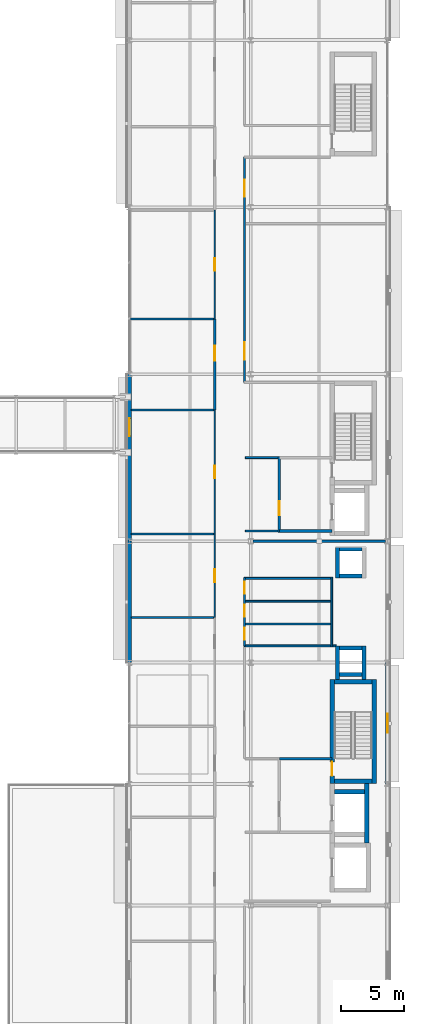
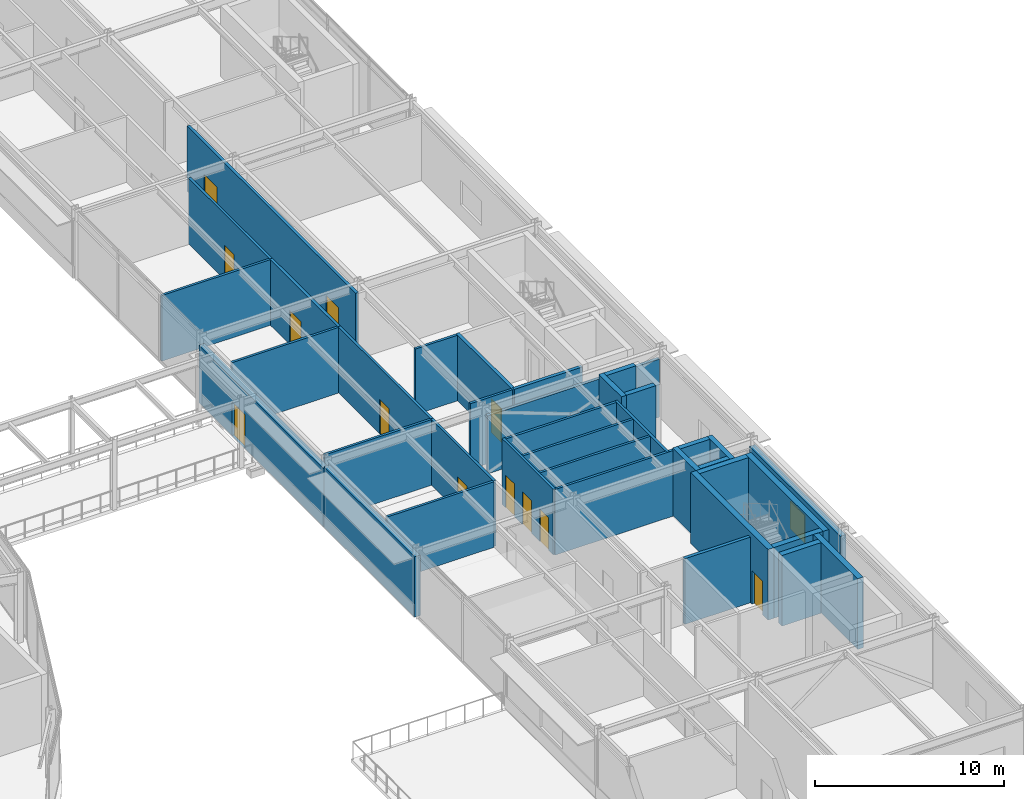
# One storey, part 125 of 157: 37 walls, 12 doors, 1 window, 13 openings.
"""IFC4 building model written with IfcOpenShell, lengths in metres."""

import ifcopenshell
import ifcopenshell.guid

model = None  # the IFC model being written
_history = None  # IfcOwnerHistory: only IFC2X3 demands one
_inside = {}  # id of a spatial element -> (the spatial element, [elements in it])
_under = {}  # id of a project, library or spatial element -> (it, [spatial elements below it])
_declared = {}  # id of a project -> (the project, [libraries it declares])
_typed = {}  # id of a type object -> (the type object, [elements of that type])
_made_of = {}  # id of a material, layer set ... -> (it, [elements and type objects made of it])


def new_model(schema):
    """Start an empty IFC model of exactly this schema.

    Asked for "IFC4X3", IfcOpenShell would pick the latest addendum, in which some entities
    have other attributes; the version numbers below select the first issue.
    IFC2X3 requires an IfcOwnerHistory on every rooted entity: one is made here for all.
    """
    global model, _history
    if schema == "IFC4X3":
        model = ifcopenshell.file(schema_version=(4, 3, 0, 0))
    else:
        model = ifcopenshell.file(schema=schema)
    _inside.clear()
    _under.clear()
    _declared.clear()
    _typed.clear()
    _made_of.clear()
    _history = None
    if model.schema == "IFC2X3":
        org = make("IfcOrganization", Name="unknown")
        user = make(
            "IfcPersonAndOrganization",
            ThePerson=make("IfcPerson", FamilyName="unknown"),
            TheOrganization=org,
        )
        app = make(
            "IfcApplication",
            ApplicationDeveloper=org,
            Version="unknown",
            ApplicationFullName="unknown",
            ApplicationIdentifier="unknown",
        )
        _history = make(
            "IfcOwnerHistory",
            OwningUser=user,
            OwningApplication=app,
            ChangeAction="ADDED",
            CreationDate=0,
        )
    return model


def make(cls, **values):
    """One entity of the class cls with the attributes given. An attribute that is None is left unset."""
    return model.create_entity(
        cls, **{name: value for name, value in values.items() if value is not None}
    )


def rooted(cls, **values):
    """An entity with a GlobalId (a new one), such as an element, a storey or a relation."""
    return make(cls, GlobalId=ifcopenshell.guid.new(), OwnerHistory=_history, **values)


def si_unit(unit_type, name, prefix=None):
    """IfcSIUnit, for example si_unit("LENGTHUNIT", "METRE", prefix="MILLI")."""
    return make("IfcSIUnit", UnitType=unit_type, Prefix=prefix, Name=name)


def assignment(units):
    """IfcUnitAssignment: the units of a project."""
    return None if units is None else make("IfcUnitAssignment", Units=units)


def point(xyz):
    """IfcCartesianPoint."""
    return None if xyz is None else make("IfcCartesianPoint", Coordinates=xyz)


def direction(xyz):
    """IfcDirection."""
    return None if xyz is None else make("IfcDirection", DirectionRatios=xyz)


def frame(location, z_axis=None, x_axis=None):
    """IfcAxis2Placement3D, a coordinate frame: its origin and axes. An axis left out is left unset."""
    return make(
        "IfcAxis2Placement3D",
        Location=point(location),
        Axis=direction(z_axis),
        RefDirection=direction(x_axis),
    )


def frame_2d(location, x_axis=None):
    """IfcAxis2Placement2D, a coordinate frame in the plane: its origin and x axis."""
    return make(
        "IfcAxis2Placement2D", Location=point(location), RefDirection=direction(x_axis)
    )


def origin():
    """The frame at (0, 0, 0) with its axes left unset."""
    return frame((0.0, 0.0, 0.0))


def place(relative_to, where):
    """IfcLocalPlacement: puts the frame where relative to a parent placement (None: the world)."""
    return make(
        "IfcLocalPlacement", PlacementRelTo=relative_to, RelativePlacement=where
    )


def context(
    kind, dimensions, precision=None, world=None, true_north=None, identifier=None
):
    """IfcGeometricRepresentationContext, for example the 3D "Model" context."""
    return make(
        "IfcGeometricRepresentationContext",
        ContextIdentifier=identifier,
        ContextType=kind,
        CoordinateSpaceDimension=dimensions,
        Precision=precision,
        WorldCoordinateSystem=world,
        TrueNorth=true_north,
    )


def subcontext(parent, identifier, kind, view, scale=None):
    """IfcGeometricRepresentationSubContext, for example "Body" below "Model"."""
    return make(
        "IfcGeometricRepresentationSubContext",
        ContextIdentifier=identifier,
        ContextType=kind,
        ParentContext=parent,
        TargetScale=scale,
        TargetView=view,
    )


def project(units=None, contexts=None):
    """IfcProject with its units and contexts."""
    return rooted(
        "IfcProject",
        Name="project",
        RepresentationContexts=contexts,
        UnitsInContext=assignment(units),
    )


def spatial(cls, under=None, at=None, **own):
    """A site, building, storey or space (cls), placed at a placement, below another one or the project."""
    s = rooted(cls, ObjectPlacement=at, **own)
    if under is not None:
        _under.setdefault(under.id(), (under, []))[1].append(s)
    return s


def profile(cls, at=None, kind="AREA", **sizes):
    """A parametric profile (cls). Its sizes go by their IFC names, for example OverallWidth=200.0."""
    return make(cls, ProfileType=kind, Position=at, **sizes)


def rectangle(**sizes):
    """IfcRectangleProfileDef."""
    return profile("IfcRectangleProfileDef", **sizes)


def extrude(swept, where, along, depth):
    """IfcExtrudedAreaSolid: the profile swept, set in the frame where, extruded along a direction by depth."""
    return make(
        "IfcExtrudedAreaSolid",
        SweptArea=swept,
        Position=where,
        ExtrudedDirection=direction(along),
        Depth=depth,
    )


def shape(context_of_items, identifier, shape_type, items):
    """IfcShapeRepresentation: the items that make up one representation, for example the "Body"."""
    return make(
        "IfcShapeRepresentation",
        ContextOfItems=context_of_items,
        RepresentationIdentifier=identifier,
        RepresentationType=shape_type,
        Items=items,
    )


def material(Name=None, Category=None):
    """IfcMaterial."""
    return make("IfcMaterial", Name=Name, Category=Category)


def layer(
    of_material, thickness, ventilated=None, Name=None, Category=None, Priority=None
):
    """IfcMaterialLayer: one layer of a wall or slab, of a material (None: an air gap)."""
    return make(
        "IfcMaterialLayer",
        Material=of_material,
        LayerThickness=thickness,
        IsVentilated=ventilated,
        Name=Name,
        Category=Category,
        Priority=Priority,
    )


def layer_set(layers, Name=None):
    """IfcMaterialLayerSet."""
    return make("IfcMaterialLayerSet", MaterialLayers=layers, LayerSetName=Name)


def made_of(thing, what):
    """Note that an element or type object is made of a material, layer set ...; save() writes the relation."""
    if what is not None:
        _made_of.setdefault(what.id(), (what, []))[1].append(thing)
    return thing


def type_object(cls, material=None, **own):
    """A type object (cls), such as IfcWallType, which elements share."""
    return made_of(rooted(cls, **own), material)


def element(
    cls,
    number,
    at=None,
    inside=None,
    cuts=None,
    type_object=None,
    material=None,
    context=None,
    identifier="Body",
    shape_type=None,
    held_by="IfcProductDefinitionShape",
    body=None,
    shapes=None,
    **own,
):
    """One element of the class cls, such as IfcWall. Its Tag is "e" and its number.

    at: its placement. inside: the storey or other place that contains it. cuts: it is an
    opening in that element (IfcRelVoidsElement). A single representation is given by context,
    identifier, shape_type and body (its items); several are given by shapes. held_by: the class
    of the entity that holds the representations. save() writes the other relations.
    """
    e = rooted(cls, Tag="e%d" % number, ObjectPlacement=at, **own)
    if body is not None:
        shapes = [shape(context, identifier, shape_type, body)]
    if shapes is not None:
        e.Representation = make(held_by, Representations=shapes)
    if inside is not None:
        _inside.setdefault(inside.id(), (inside, []))[1].append(e)
    if cuts is not None:
        rooted(
            "IfcRelVoidsElement", RelatingBuildingElement=cuts, RelatedOpeningElement=e
        )
    if type_object is not None:
        _typed.setdefault(type_object.id(), (type_object, []))[1].append(e)
    return made_of(e, material)


def fill(opening, filler):
    """IfcRelFillsElement: the door or window that sits in an opening."""
    return rooted(
        "IfcRelFillsElement",
        RelatingOpeningElement=opening,
        RelatedBuildingElement=filler,
    )


def aggregate(whole, parts):
    """IfcRelAggregates: a whole, such as a stair, and the parts it consists of."""
    return rooted("IfcRelAggregates", RelatingObject=whole, RelatedObjects=parts)


def save(model, path):
    """Write the relations noted so far, then the file.

    IfcRelAggregates (storeys below a building ...), IfcRelContainedInSpatialStructure (elements
    in a storey), IfcRelDefinesByType, IfcRelAssociatesMaterial and IfcRelDeclares: one each for
    every whole, place, type object, material and project.
    """
    for whole, parts in _under.values():
        aggregate(whole, parts)
    for where, things in _inside.values():
        rooted(
            "IfcRelContainedInSpatialStructure",
            RelatedElements=things,
            RelatingStructure=where,
        )
    for kind, things in _typed.values():
        rooted("IfcRelDefinesByType", RelatedObjects=things, RelatingType=kind)
    for what, things in _made_of.values():
        rooted("IfcRelAssociatesMaterial", RelatedObjects=things, RelatingMaterial=what)
    for by, libraries in _declared.values():
        rooted("IfcRelDeclares", RelatingContext=by, RelatedDefinitions=libraries)
    model.write(path)


model = new_model("IFC4")

# Units and contexts
model_context = context("Model", 3, precision=1e-05, world=origin(), true_north=direction((0.0, 1.0)))
body_context = subcontext(model_context, "Body", "Model", "MODEL_VIEW")
ifc_project = project(units=[si_unit("LENGTHUNIT", "METRE"), si_unit("AREAUNIT", "SQUARE_METRE"), si_unit("VOLUMEUNIT", "CUBIC_METRE"), si_unit("PLANEANGLEUNIT", "RADIAN"), si_unit("MASSUNIT", "GRAM", prefix="KILO")], contexts=[model_context])

# Site, building, storey
site_placement = place(None, origin())
site = spatial("IfcSite", under=ifc_project, at=site_placement, CompositionType="ELEMENT")
building_placement = place(site_placement, origin())
building = spatial("IfcBuilding", under=site, at=building_placement, Name="Almandine Court Research Institute", CompositionType="ELEMENT")
storey_placement = place(building_placement, frame((0.0, 0.0, 5.25)))
storey = spatial("IfcBuildingStorey", under=building, at=storey_placement, Name="L01", CompositionType="ELEMENT", Elevation=5.25)

# Wall
ifc_material_1 = material(Name="Andean Red-Buff Sandstone Plinth Wall", Category="masonry")
ifc_layer_1 = layer(ifc_material_1, 0.340087890625)
ifc_layer_set_1 = layer_set([ifc_layer_1], Name="Andean Red-Buff Sandstone Plinth Wall")
wall_type_1 = type_object("IfcWallType", Name="Wall-EXT-SAND-340", PredefinedType="SOLIDWALL", material=ifc_layer_set_1)
wall_1_placement = place(storey_placement, frame((153.60009765625, 34.803955078125, 0.0), z_axis=(0.0, 0.0, 1.0), x_axis=(0.0, 1.0, 0.0)))
element("IfcWall", 1, at=wall_1_placement, inside=storey, type_object=wall_type_1, Name="L01 Wet Lab West Facade Wall 4", PredefinedType="SOLIDWALL", context=body_context, shape_type="SweptSolid", body=[
    extrude(rectangle(XDim=9.592041015625, YDim=0.340087890625, at=frame_2d((4.7958984375, 0.0))), origin(), (0.0, 0.0, 1.0), 3.89306640625),
])

# Wall, opening, door
wall_2_placement = place(storey_placement, frame((153.60009765625, 44.404052734375, 0.0), z_axis=(0.0, 0.0, 1.0), x_axis=(0.0, 1.0, 0.0)))
wall_2 = element("IfcWall", 2, at=wall_2_placement, inside=storey, type_object=wall_type_1, Name="L01 Wet Lab East Dalan Bridge Wall", PredefinedType="SOLIDWALL", context=body_context, shape_type="SweptSolid", body=[
    extrude(rectangle(XDim=13.19189453125, YDim=0.340087890625, at=frame_2d((6.595947265625, 0.0))), origin(), (0.0, 0.0, 1.0), 3.719970703125),
])
opening_1_placement = place(wall_2_placement, frame((8.300048828125, 0.0, 0.0)))
opening_1 = element("IfcOpeningElement", 3, at=opening_1_placement, cuts=wall_2, Name="Opening TD-01", PredefinedType="OPENING", context=body_context, shape_type="SweptSolid", body=[
    extrude(rectangle(XDim=1.39990234375, YDim=2.199951171875, at=frame_2d((0.699951171875, 1.10009765625))), frame((0.0, 0.179931640625, 0.0), z_axis=(0.0, -1.0, 0.0), x_axis=(1.0, 0.0, 0.0)), (0.0, 0.0, 1.0), 0.360107421875),
])
ifc_material_2 = material(Name="Thermally Broken Glazed Terrace Door")
door_type_1 = type_object("IfcDoorType", Name="Door-TER-1400", OperationType="DOUBLE_DOOR_SINGLE_SWING", PredefinedType="DOOR", material=ifc_material_2)
door_1_placement = place(opening_1_placement, origin())
door_1 = element("IfcDoor", 4, at=door_1_placement, inside=storey, type_object=door_type_1, Name="L01 East Charbagh Dalan Bridge Door", OperationType="DOUBLE_DOOR_SINGLE_SWING", OverallHeight=2.199951171875, OverallWidth=1.39990234375, PredefinedType="DOOR", context=body_context, shape_type="SweptSolid", body=[
    extrude(rectangle(XDim=1.39990234375, YDim=2.199951171875, at=frame_2d((0.699951171875, 1.10009765625))), frame((0.0, 0.02490234375, 0.0), z_axis=(0.0, -1.0, 0.0), x_axis=(1.0, 0.0, 0.0)), (0.0, 0.0, 1.0), 0.050048828125),
])
fill(opening_1, door_1)

# Wall, opening, window
wall_3_placement = place(storey_placement, frame((174.0, 34.7958984375, 0.0), z_axis=(0.0, 0.0, 1.0), x_axis=(0.0, -1.0, 0.0)))
wall_3 = element("IfcWall", 5, at=wall_3_placement, inside=storey, type_object=wall_type_1, Name="L01 Wet Lab East Facade Wall 3", PredefinedType="SOLIDWALL", context=body_context, shape_type="SweptSolid", body=[
    extrude(rectangle(XDim=9.591796875, YDim=0.340087890625, at=frame_2d((4.7958984375, 0.0))), origin(), (0.0, 0.0, 1.0), 3.884033203125),
])
opening_2_placement = place(wall_3_placement, frame((4.051025390625, 0.0, 0.949951171875)))
opening_2 = element("IfcOpeningElement", 6, at=opening_2_placement, cuts=wall_3, Name="Opening WN-67", PredefinedType="OPENING", context=body_context, shape_type="SweptSolid", body=[
    extrude(rectangle(XDim=1.489990234375, YDim=1.800048828125, at=frame_2d((0.7451171875, 0.89990234375))), frame((0.0, 0.179931640625, 0.0), z_axis=(0.0, -1.0, 0.0), x_axis=(1.0, 0.0, 0.0)), (0.0, 0.0, 1.0), 0.360107421875),
])
ifc_material_3 = material(Name="Thermally Broken Low-E Double-Glazed Window", Category="glass")
window_type = type_object("IfcWindowType", Name="Win-WN-67-1490x1800", PartitioningType="SINGLE_PANEL", PredefinedType="WINDOW", material=ifc_material_3)
window_placement = place(opening_2_placement, origin())
window = element("IfcWindow", 7, at=window_placement, inside=storey, type_object=window_type, Name="L01 Modular Recessed Low-E Window 95", OverallHeight=1.800048828125, OverallWidth=1.489990234375, PartitioningType="SINGLE_PANEL", PredefinedType="WINDOW", context=body_context, shape_type="SweptSolid", body=[
    extrude(rectangle(XDim=1.489990234375, YDim=1.800048828125, at=frame_2d((0.7451171875, 0.89990234375))), frame((0.0, 0.030029296875, 0.0), z_axis=(0.0, -1.0, 0.0), x_axis=(1.0, 0.0, 0.0)), (0.0, 0.0, 1.0), 0.06005859375),
])
fill(opening_2, window)

# Wall, opening, door
ifc_material_4 = material(Name="One-Hour Fire-Rated Laboratory Partition")
ifc_layer_2 = layer(ifc_material_4, 0.175048828125)
ifc_layer_set_2 = layer_set([ifc_layer_2], Name="One-Hour Fire-Rated Laboratory Partition")
wall_type_2 = type_object("IfcWallType", Name="Wall-FIRE-175", PredefinedType="PARTITIONING", material=ifc_layer_set_2)
wall_4_placement = place(storey_placement, frame((160.35009765625, 54.760009765625, 0.0), z_axis=(0.0, 0.0, 1.0), x_axis=(0.0, 1.0, 0.0)))
wall_4 = element("IfcWall", 8, at=wall_4_placement, inside=storey, type_object=wall_type_2, Name="L01 Interior Partition W-V4-L01-WW-6", PredefinedType="PARTITIONING", context=body_context, shape_type="SweptSolid", body=[
    extrude(rectangle(XDim=7.199951171875, YDim=0.175048828125, at=frame_2d((3.60009765625, 0.0))), origin(), (0.0, 0.0, 1.0), 4.22998046875),
])
opening_3_placement = place(wall_4_placement, frame((3.889892578125, 0.0, 0.0)))
opening_3 = element("IfcOpeningElement", 9, at=opening_3_placement, cuts=wall_4, Name="Opening FD-LAB", PredefinedType="OPENING", context=body_context, shape_type="SweptSolid", body=[
    extrude(rectangle(XDim=1.199951171875, YDim=2.199951171875, at=frame_2d((0.60009765625, 1.10009765625))), frame((0.0, 0.097412109375, 0.0), z_axis=(0.0, -1.0, 0.0), x_axis=(1.0, 0.0, 0.0)), (0.0, 0.0, 1.0), 0.195068359375),
])
ifc_material_5 = material(Name="Fire-Rated Laboratory Containment Door")
door_type_2 = type_object("IfcDoorType", Name="Door-FD-LAB-1200", OperationType="NOTDEFINED", PredefinedType="DOOR", material=ifc_material_5)
door_2_placement = place(opening_3_placement, origin())
door_2 = element("IfcDoor", 10, at=door_2_placement, inside=storey, type_object=door_type_2, Name="L01 Wet Chemistry Laboratory Door", OperationType="SINGLE_SWING_RIGHT", OverallHeight=2.199951171875, OverallWidth=1.199951171875, PredefinedType="DOOR", context=body_context, shape_type="SweptSolid", body=[
    extrude(rectangle(XDim=1.199951171875, YDim=2.199951171875, at=frame_2d((0.60009765625, 1.10009765625))), frame((0.0, 0.02490234375, 0.0), z_axis=(0.0, -1.0, 0.0), x_axis=(1.0, 0.0, 0.0)), (0.0, 0.0, 1.0), 0.050048828125),
])
fill(opening_3, door_2)

# Wall, openings, doors
wall_5_placement = place(storey_placement, frame((162.699951171875, 56.949951171875, 0.0), z_axis=(0.0, 0.0, 1.0), x_axis=(0.0, 1.0, 0.0)))
wall_5 = element("IfcWall", 11, at=wall_5_placement, inside=storey, type_object=wall_type_2, Name="L01 Interior Partition W-V4-L01-EW-N1", PredefinedType="PARTITIONING", context=body_context, shape_type="SweptSolid", body=[
    extrude(rectangle(XDim=17.800048828125, YDim=0.175048828125, at=frame_2d((8.89990234375, 0.0))), origin(), (0.0, 0.0, 1.0), 4.22998046875),
])
opening_4_placement = place(wall_5_placement, frame((1.800048828125, 0.0, 0.0)))
opening_4 = element("IfcOpeningElement", 12, at=opening_4_placement, cuts=wall_5, Name="Opening FD-LB2", PredefinedType="OPENING", context=body_context, shape_type="SweptSolid", body=[
    extrude(rectangle(XDim=1.35009765625, YDim=2.199951171875, at=frame_2d((0.675048828125, 1.10009765625))), frame((0.0, 0.097412109375, 0.0), z_axis=(0.0, -1.0, 0.0), x_axis=(1.0, 0.0, 0.0)), (0.0, 0.0, 1.0), 0.195068359375),
])
opening_5_placement = place(wall_5_placement, frame((14.64990234375, 0.0, 0.0)))
opening_5 = element("IfcOpeningElement", 13, at=opening_5_placement, cuts=wall_5, Name="Opening FD-LB2", PredefinedType="OPENING", context=body_context, shape_type="SweptSolid", body=[
    extrude(rectangle(XDim=1.35009765625, YDim=2.199951171875, at=frame_2d((0.675048828125, 1.10009765625))), frame((0.0, 0.097412109375, 0.0), z_axis=(0.0, -1.0, 0.0), x_axis=(1.0, 0.0, 0.0)), (0.0, 0.0, 1.0), 0.195068359375),
])
ifc_material_6 = material(Name="Wide Fire-Rated Cleanroom and Lab Door")
door_type_3 = type_object("IfcDoorType", Name="Door-FD-LAB-1350", OperationType="NOTDEFINED", PredefinedType="DOOR", material=ifc_material_6)
door_3_placement = place(opening_4_placement, origin())
door_3 = element("IfcDoor", 14, at=door_3_placement, inside=storey, type_object=door_type_3, Name="L01 East Wet Chemistry Lab Door", OperationType="SINGLE_SWING_RIGHT", OverallHeight=2.199951171875, OverallWidth=1.35009765625, PredefinedType="DOOR", context=body_context, shape_type="SweptSolid", body=[
    extrude(rectangle(XDim=1.35009765625, YDim=2.199951171875, at=frame_2d((0.675048828125, 1.10009765625))), frame((0.0, 0.02490234375, 0.0), z_axis=(0.0, -1.0, 0.0), x_axis=(1.0, 0.0, 0.0)), (0.0, 0.0, 1.0), 0.050048828125),
])
fill(opening_4, door_3)
door_4_placement = place(opening_5_placement, origin())
door_4 = element("IfcDoor", 15, at=door_4_placement, inside=storey, type_object=door_type_3, Name="L01 East BSL-2 Lab South Door", OperationType="SINGLE_SWING_LEFT", OverallHeight=2.199951171875, OverallWidth=1.35009765625, PredefinedType="DOOR", context=body_context, shape_type="SweptSolid", body=[
    extrude(rectangle(XDim=1.35009765625, YDim=2.199951171875, at=frame_2d((0.675048828125, 1.10009765625))), frame((0.0, 0.02490234375, 0.0), z_axis=(0.0, -1.0, 0.0), x_axis=(1.0, 0.0, 0.0)), (0.0, 0.0, 1.0), 0.050048828125),
])
fill(opening_5, door_4)

# Walls
ifc_material_7 = material(Name="Two-Hour Fire-Barrier Enclosure Wall")
ifc_layer_3 = layer(ifc_material_7, 0.199951171875)
ifc_layer_set_3 = layer_set([ifc_layer_3], Name="Two-Hour Fire-Barrier Enclosure Wall")
wall_type_3 = type_object("IfcWallType", Name="Wall-FIRE-200", PredefinedType="SOLIDWALL", material=ifc_layer_set_3)
wall_6_placement = place(storey_placement, frame((163.360107421875, 44.39990234375, 0.0), z_axis=(0.0, 0.0, 1.0), x_axis=(1.0, 0.0, 0.0)))
element("IfcWall", 16, at=wall_6_placement, inside=storey, type_object=wall_type_3, Name="L01 Interior Partition W-BF-V4-BF2-L01", PredefinedType="SOLIDWALL", context=body_context, shape_type="SweptSolid", body=[
    extrude(rectangle(XDim=10.47998046875, YDim=0.199951171875, at=frame_2d((5.239990234375, 0.0))), origin(), (0.0, 0.0, 1.0), 3.737060546875),
])
wall_7_placement = place(storey_placement, frame((165.449951171875, 27.199951171875, 0.0), z_axis=(0.0, 0.0, 1.0), x_axis=(1.0, 0.0, 0.0)))
element("IfcWall", 17, at=wall_7_placement, inside=storey, type_object=wall_type_3, Name="L01 Interior Partition W-FFL1-L01-N", PredefinedType="SOLIDWALL", context=body_context, shape_type="SweptSolid", body=[
    extrude(rectangle(XDim=4.150146484375, YDim=0.199951171875, at=frame_2d((2.0751953125, 0.0))), origin(), (0.0, 0.0, 1.0), 4.22998046875),
])

# Wall, opening, door
wall_8_placement = place(storey_placement, frame((165.449951171875, 45.10009765625, 0.0), z_axis=(0.0, 0.0, 1.0), x_axis=(0.0, 1.0, 0.0)))
wall_8 = element("IfcWall", 18, at=wall_8_placement, inside=storey, type_object=wall_type_3, Name="L01 Interior Partition W-FFL2-L01-W", PredefinedType="SOLIDWALL", context=body_context, shape_type="SweptSolid", body=[
    extrude(rectangle(XDim=6.0, YDim=0.199951171875, at=frame_2d((3.0, 0.0))), origin(), (0.0, 0.0, 1.0), 4.22998046875),
])
opening_6_placement = place(wall_8_placement, frame((1.35009765625, 0.0, 0.0)))
opening_6 = element("IfcOpeningElement", 19, at=opening_6_placement, cuts=wall_8, Name="Opening FD-FFL", PredefinedType="OPENING", context=body_context, shape_type="SweptSolid", body=[
    extrude(rectangle(XDim=1.10009765625, YDim=2.14990234375, at=frame_2d((0.550048828125, 1.074951171875))), frame((0.0, 0.10986328125, 0.0), z_axis=(0.0, -1.0, 0.0), x_axis=(1.0, 0.0, 0.0)), (0.0, 0.0, 1.0), 0.219970703125),
])
ifc_material_8 = material(Name="Smoke-Tight Firefighting Lobby Fire Door")
door_type_4 = type_object("IfcDoorType", Name="Door-FD-FFL-1100", OperationType="NOTDEFINED", PredefinedType="DOOR", material=ifc_material_8)
door_5_placement = place(opening_6_placement, origin())
door_5 = element("IfcDoor", 20, at=door_5_placement, inside=storey, type_object=door_type_4, Name="L01 Firefighting Lobby Fire Door 2", OperationType="SINGLE_SWING_LEFT", OverallHeight=2.14990234375, OverallWidth=1.10009765625, PredefinedType="DOOR", context=body_context, shape_type="SweptSolid", body=[
    extrude(rectangle(XDim=1.10009765625, YDim=2.14990234375, at=frame_2d((0.550048828125, 1.074951171875))), frame((0.0, 0.02490234375, 0.0), z_axis=(0.0, -1.0, 0.0), x_axis=(1.0, 0.0, 0.0)), (0.0, 0.0, 1.0), 0.050048828125),
])
fill(opening_6, door_5)

# Walls
wall_9_placement = place(storey_placement, frame((165.449951171875, 45.199951171875, 0.0), z_axis=(0.0, 0.0, 1.0), x_axis=(1.0, 0.0, 0.0)))
element("IfcWall", 21, at=wall_9_placement, inside=storey, type_object=wall_type_3, Name="L01 Interior Partition W-FFL2-L01-S", PredefinedType="SOLIDWALL", context=body_context, shape_type="SweptSolid", body=[
    extrude(rectangle(XDim=4.150146484375, YDim=0.199951171875, at=frame_2d((2.0751953125, 0.0))), origin(), (0.0, 0.0, 1.0), 4.22998046875),
])
ifc_material_9 = material(Name="Acoustic Steel-Stud Gypsum Partition Wall", Category="steel")
ifc_layer_4 = layer(ifc_material_9, 0.14990234375)
ifc_layer_set_4 = layer_set([ifc_layer_4], Name="Acoustic Steel-Stud Gypsum Partition Wall")
wall_type_4 = type_object("IfcWallType", Name="Wall-PART-150", PredefinedType="PARTITIONING", material=ifc_layer_set_4)
for number, where, z_axis, x_axis, name in (
    (22, (162.699951171875, 37.85009765625, 0.0), (0.0, 0.0, 1.0), (1.0, 0.0, 0.0), "L01 Interior Partition W-V4-L01-WCH-1"),
    (23, (162.699951171875, 39.64990234375, 0.0), (0.0, 0.0, 1.0), (1.0, 0.0, 0.0), "L01 Interior Partition W-V4-L01-WCH-2"),
    (24, (162.699951171875, 41.449951171875, 0.0), (0.0, 0.0, 1.0), (1.0, 0.0, 0.0), "L01 Interior Partition W-V4-L01-WCH-3"),
):
    element("IfcWall", number, at=place(storey_placement, frame(where, z_axis=z_axis, x_axis=x_axis)), inside=storey, type_object=wall_type_4, Name=name, PredefinedType="PARTITIONING", context=body_context, shape_type="SweptSolid", body=[
        extrude(rectangle(XDim=6.900146484375, YDim=0.14990234375, at=frame_2d((3.4501953125, 0.0))), origin(), (0.0, 0.0, 1.0), 4.22998046875),
    ])
wall_10_placement = place(storey_placement, frame((162.699951171875, 36.1201171875, 0.0), z_axis=(0.0, 0.0, 1.0), x_axis=(1.0, 0.0, 0.0)))
element("IfcWall", 25, at=wall_10_placement, inside=storey, type_object=wall_type_4, Name="L01 Interior Partition W-V4-L01-WCS", PredefinedType="PARTITIONING", context=body_context, shape_type="SweptSolid", body=[
    extrude(rectangle(XDim=7.25, YDim=0.14990234375, at=frame_2d((3.625, 0.0))), origin(), (0.0, 0.0, 1.0), 4.22998046875),
])
wall_11_placement = place(storey_placement, frame((169.60009765625, 36.050048828125, 0.0), z_axis=(0.0, 0.0, 1.0), x_axis=(0.0, 1.0, 0.0)))
element("IfcWall", 26, at=wall_11_placement, inside=storey, type_object=wall_type_4, Name="L01 Interior Partition W-V4-L01-WCEAST", PredefinedType="PARTITIONING", context=body_context, shape_type="SweptSolid", body=[
    extrude(rectangle(XDim=5.5, YDim=0.14990234375, at=frame_2d((2.75, 0.0))), origin(), (0.0, 0.0, 1.0), 4.22998046875),
])

# Wall, openings, doors
wall_12_placement = place(storey_placement, frame((162.699951171875, 36.1201171875, 0.0), z_axis=(0.0, 0.0, 1.0), x_axis=(0.0, 1.0, 0.0)))
wall_12 = element("IfcWall", 27, at=wall_12_placement, inside=storey, type_object=wall_type_4, Name="L01 Interior Partition W-V4-L01-WC-ALL", PredefinedType="PARTITIONING", context=body_context, shape_type="SweptSolid", body=[
    extrude(rectangle(XDim=5.39990234375, YDim=0.14990234375, at=frame_2d((2.699951171875, 0.0))), origin(), (0.0, 0.0, 1.0), 4.22998046875),
])
opening_7_placement = place(wall_12_placement, frame((0.47998046875, 0.0, 0.0)))
opening_7 = element("IfcOpeningElement", 28, at=opening_7_placement, cuts=wall_12, Name="Opening D-01", PredefinedType="OPENING", context=body_context, shape_type="SweptSolid", body=[
    extrude(rectangle(XDim=0.949951171875, YDim=2.10009765625, at=frame_2d((0.47509765625, 1.050048828125))), frame((0.0, 0.0849609375, 0.0), z_axis=(0.0, -1.0, 0.0), x_axis=(1.0, 0.0, 0.0)), (0.0, 0.0, 1.0), 0.169921875),
])
opening_8_placement = place(wall_12_placement, frame((2.300048828125, 0.0, 0.0)))
opening_8 = element("IfcOpeningElement", 29, at=opening_8_placement, cuts=wall_12, Name="Opening D-01", PredefinedType="OPENING", context=body_context, shape_type="SweptSolid", body=[
    extrude(rectangle(XDim=0.949951171875, YDim=2.10009765625, at=frame_2d((0.47509765625, 1.050048828125))), frame((0.0, 0.0849609375, 0.0), z_axis=(0.0, -1.0, 0.0), x_axis=(1.0, 0.0, 0.0)), (0.0, 0.0, 1.0), 0.169921875),
])
opening_9_placement = place(wall_12_placement, frame((4.10009765625, 0.0, 0.0)))
opening_9 = element("IfcOpeningElement", 30, at=opening_9_placement, cuts=wall_12, Name="Opening D-01", PredefinedType="OPENING", context=body_context, shape_type="SweptSolid", body=[
    extrude(rectangle(XDim=0.949951171875, YDim=2.10009765625, at=frame_2d((0.47509765625, 1.050048828125))), frame((0.0, 0.0849609375, 0.0), z_axis=(0.0, -1.0, 0.0), x_axis=(1.0, 0.0, 0.0)), (0.0, 0.0, 1.0), 0.169921875),
])
ifc_material_10 = material(Name="Solid-Core Timber Acoustic Room Door", Category="wood")
door_type_5 = type_object("IfcDoorType", Name="Door-INT-950", OperationType="NOTDEFINED", PredefinedType="DOOR", material=ifc_material_10)
door_6_placement = place(opening_7_placement, origin())
door_6 = element("IfcDoor", 31, at=door_6_placement, inside=storey, type_object=door_type_5, Name="L01 V4 Male Toilet Door", OperationType="SINGLE_SWING_LEFT", OverallHeight=2.10009765625, OverallWidth=0.949951171875, PredefinedType="DOOR", context=body_context, shape_type="SweptSolid", body=[
    extrude(rectangle(XDim=0.949951171875, YDim=2.10009765625, at=frame_2d((0.47509765625, 1.050048828125))), frame((0.0, 0.02490234375, 0.0), z_axis=(0.0, -1.0, 0.0), x_axis=(1.0, 0.0, 0.0)), (0.0, 0.0, 1.0), 0.050048828125),
])
fill(opening_7, door_6)
door_7_placement = place(opening_8_placement, origin())
door_7 = element("IfcDoor", 32, at=door_7_placement, inside=storey, type_object=door_type_5, Name="L01 V4 Female Toilet Door", OperationType="SINGLE_SWING_RIGHT", OverallHeight=2.10009765625, OverallWidth=0.949951171875, PredefinedType="DOOR", context=body_context, shape_type="SweptSolid", body=[
    extrude(rectangle(XDim=0.949951171875, YDim=2.10009765625, at=frame_2d((0.47509765625, 1.050048828125))), frame((0.0, 0.02490234375, 0.0), z_axis=(0.0, -1.0, 0.0), x_axis=(1.0, 0.0, 0.0)), (0.0, 0.0, 1.0), 0.050048828125),
])
fill(opening_8, door_7)
door_8_placement = place(opening_9_placement, origin())
door_8 = element("IfcDoor", 33, at=door_8_placement, inside=storey, type_object=door_type_5, Name="L01 V4 Accessible WC Door", OperationType="SINGLE_SWING_LEFT", OverallHeight=2.10009765625, OverallWidth=0.949951171875, PredefinedType="DOOR", context=body_context, shape_type="SweptSolid", body=[
    extrude(rectangle(XDim=0.949951171875, YDim=2.10009765625, at=frame_2d((0.47509765625, 1.050048828125))), frame((0.0, 0.02490234375, 0.0), z_axis=(0.0, -1.0, 0.0), x_axis=(1.0, 0.0, 0.0)), (0.0, 0.0, 1.0), 0.050048828125),
])
fill(opening_9, door_8)

# Wall
wall_13_placement = place(storey_placement, frame((153.760009765625, 38.360107421875, 0.0), z_axis=(0.0, 0.0, 1.0), x_axis=(1.0, 0.0, 0.0)))
element("IfcWall", 34, at=wall_13_placement, inside=storey, type_object=wall_type_4, Name="L01 Interior Partition W-V4-L01-WDIV-3", PredefinedType="PARTITIONING", context=body_context, shape_type="SweptSolid", body=[
    extrude(rectangle(XDim=6.510009765625, YDim=0.14990234375, at=frame_2d((3.2548828125, 0.0))), origin(), (0.0, 0.0, 1.0), 4.22998046875),
])

# Wall, opening, door
wall_14_placement = place(storey_placement, frame((160.35009765625, 38.360107421875, 0.0), z_axis=(0.0, 0.0, 1.0), x_axis=(0.0, 1.0, 0.0)))
wall_14 = element("IfcWall", 35, at=wall_14_placement, inside=storey, type_object=wall_type_4, Name="L01 Interior Partition W-V4-L01-WW-4", PredefinedType="PARTITIONING", context=body_context, shape_type="SweptSolid", body=[
    extrude(rectangle(XDim=6.599853515625, YDim=0.14990234375, at=frame_2d((3.2998046875, 0.0))), origin(), (0.0, 0.0, 1.0), 4.22998046875),
])
opening_10_placement = place(wall_14_placement, frame((2.800048828125, 0.0, 0.0)))
opening_10 = element("IfcOpeningElement", 36, at=opening_10_placement, cuts=wall_14, Name="Opening D-02", PredefinedType="OPENING", context=body_context, shape_type="SweptSolid", body=[
    extrude(rectangle(XDim=1.0, YDim=2.199951171875, at=frame_2d((0.5, 1.10009765625))), frame((0.0, 0.0849609375, 0.0), z_axis=(0.0, -1.0, 0.0), x_axis=(1.0, 0.0, 0.0)), (0.0, 0.0, 1.0), 0.169921875),
])
ifc_material_11 = material(Name="Solid-Core Timber Researcher Office Door", Category="wood")
door_type_6 = type_object("IfcDoorType", Name="Door-INT-1000", OperationType="NOTDEFINED", PredefinedType="DOOR", material=ifc_material_11)
door_9_placement = place(opening_10_placement, origin())
door_9 = element("IfcDoor", 37, at=door_9_placement, inside=storey, type_object=door_type_6, Name="L01 Instrument Room Door", OperationType="SINGLE_SWING_RIGHT", OverallHeight=2.199951171875, OverallWidth=1.0, PredefinedType="DOOR", context=body_context, shape_type="SweptSolid", body=[
    extrude(rectangle(XDim=1.0, YDim=2.199951171875, at=frame_2d((0.5, 1.10009765625))), frame((0.0, 0.02490234375, 0.0), z_axis=(0.0, -1.0, 0.0), x_axis=(1.0, 0.0, 0.0)), (0.0, 0.0, 1.0), 0.050048828125),
])
fill(opening_10, door_9)

# Wall
wall_15_placement = place(storey_placement, frame((153.760009765625, 44.9599609375, 0.0), z_axis=(0.0, 0.0, 1.0), x_axis=(1.0, 0.0, 0.0)))
element("IfcWall", 38, at=wall_15_placement, inside=storey, type_object=wall_type_4, Name="L01 Interior Partition W-V4-L01-WDIV-4", PredefinedType="PARTITIONING", context=body_context, shape_type="SweptSolid", body=[
    extrude(rectangle(XDim=6.510009765625, YDim=0.14990234375, at=frame_2d((3.2548828125, 0.0))), origin(), (0.0, 0.0, 1.0), 4.22998046875),
])

# Wall, opening, door
wall_16_placement = place(storey_placement, frame((160.35009765625, 44.9599609375, 0.0), z_axis=(0.0, 0.0, 1.0), x_axis=(0.0, 1.0, 0.0)))
wall_16 = element("IfcWall", 39, at=wall_16_placement, inside=storey, type_object=wall_type_4, Name="L01 Interior Partition W-V4-L01-WW-5", PredefinedType="PARTITIONING", context=body_context, shape_type="SweptSolid", body=[
    extrude(rectangle(XDim=9.800048828125, YDim=0.14990234375, at=frame_2d((4.89990234375, 0.0))), origin(), (0.0, 0.0, 1.0), 4.22998046875),
])
opening_11_placement = place(wall_16_placement, frame((4.39990234375, 0.0, 0.0)))
opening_11 = element("IfcOpeningElement", 40, at=opening_11_placement, cuts=wall_16, Name="Opening D-02", PredefinedType="OPENING", context=body_context, shape_type="SweptSolid", body=[
    extrude(rectangle(XDim=1.0, YDim=2.199951171875, at=frame_2d((0.5, 1.10009765625))), frame((0.0, 0.0849609375, 0.0), z_axis=(0.0, -1.0, 0.0), x_axis=(1.0, 0.0, 0.0)), (0.0, 0.0, 1.0), 0.169921875),
])
door_10_placement = place(opening_11_placement, origin())
door_10 = element("IfcDoor", 41, at=door_10_placement, inside=storey, type_object=door_type_6, Name="L01 Write-up Office Door", OperationType="SINGLE_SWING_LEFT", OverallHeight=2.199951171875, OverallWidth=1.0, PredefinedType="DOOR", context=body_context, shape_type="SweptSolid", body=[
    extrude(rectangle(XDim=1.0, YDim=2.199951171875, at=frame_2d((0.5, 1.10009765625))), frame((0.0, 0.02490234375, 0.0), z_axis=(0.0, -1.0, 0.0), x_axis=(1.0, 0.0, 0.0)), (0.0, 0.0, 1.0), 0.050048828125),
])
fill(opening_11, door_10)

# Walls
wall_17_placement = place(storey_placement, frame((153.760009765625, 54.760009765625, 0.0), z_axis=(0.0, 0.0, 1.0), x_axis=(1.0, 0.0, 0.0)))
element("IfcWall", 42, at=wall_17_placement, inside=storey, type_object=wall_type_4, Name="L01 Interior Partition W-V4-L01-WDIV-5", PredefinedType="PARTITIONING", context=body_context, shape_type="SweptSolid", body=[
    extrude(rectangle(XDim=6.510009765625, YDim=0.14990234375, at=frame_2d((3.2548828125, 0.0))), origin(), (0.0, 0.0, 1.0), 4.22998046875),
])
wall_18_placement = place(storey_placement, frame((153.659912109375, 61.9599609375, 0.0), z_axis=(0.0, 0.0, 1.0), x_axis=(1.0, 0.0, 0.0)))
element("IfcWall", 43, at=wall_18_placement, inside=storey, type_object=wall_type_4, Name="L01 Interior Partition W-V4-L01-WDIV-6", PredefinedType="PARTITIONING", context=body_context, shape_type="SweptSolid", body=[
    extrude(rectangle(XDim=6.610107421875, YDim=0.14990234375, at=frame_2d((3.30517578125, 0.0))), origin(), (0.0, 0.0, 1.0), 4.22998046875),
])

# Wall, opening, door
wall_19_placement = place(storey_placement, frame((160.35009765625, 61.9599609375, 0.0), z_axis=(0.0, 0.0, 1.0), x_axis=(0.0, 1.0, 0.0)))
wall_19 = element("IfcWall", 44, at=wall_19_placement, inside=storey, type_object=wall_type_4, Name="L01 Interior Partition W-V4-L01-WW-7", PredefinedType="PARTITIONING", context=body_context, shape_type="SweptSolid", body=[
    extrude(rectangle(XDim=8.60009765625, YDim=0.14990234375, at=frame_2d((4.300048828125, 0.0))), origin(), (0.0, 0.0, 1.0), 4.22998046875),
])
opening_12_placement = place(wall_19_placement, frame((3.800048828125, 0.0, 0.0)))
opening_12 = element("IfcOpeningElement", 45, at=opening_12_placement, cuts=wall_19, Name="Opening D-02", PredefinedType="OPENING", context=body_context, shape_type="SweptSolid", body=[
    extrude(rectangle(XDim=1.0, YDim=2.199951171875, at=frame_2d((0.5, 1.10009765625))), frame((0.0, 0.0849609375, 0.0), z_axis=(0.0, -1.0, 0.0), x_axis=(1.0, 0.0, 0.0)), (0.0, 0.0, 1.0), 0.169921875),
])
door_11_placement = place(opening_12_placement, origin())
door_11 = element("IfcDoor", 46, at=door_11_placement, inside=storey, type_object=door_type_6, Name="L01 Faculty Study Door", OperationType="SINGLE_SWING_LEFT", OverallHeight=2.199951171875, OverallWidth=1.0, PredefinedType="DOOR", context=body_context, shape_type="SweptSolid", body=[
    extrude(rectangle(XDim=1.0, YDim=2.199951171875, at=frame_2d((0.5, 1.10009765625))), frame((0.0, 0.02490234375, 0.0), z_axis=(0.0, -1.0, 0.0), x_axis=(1.0, 0.0, 0.0)), (0.0, 0.0, 1.0), 0.050048828125),
])
fill(opening_12, door_11)

# Walls
for number, where, z_axis, x_axis, name in (
    (47, (162.780029296875, 45.199951171875, 0.0), (0.0, 0.0, 1.0), (1.0, 0.0, 0.0), "L01 Interior Partition W-V4-L01-FFL2-CS"),
    (48, (162.780029296875, 51.0, 0.0), (0.0, 0.0, 1.0), (1.0, 0.0, 0.0), "L01 Interior Partition W-V4-L01-FFL2-CN"),
):
    element("IfcWall", number, at=place(storey_placement, frame(where, z_axis=z_axis, x_axis=x_axis)), inside=storey, type_object=wall_type_4, Name=name, PredefinedType="PARTITIONING", context=body_context, shape_type="SweptSolid", body=[
        extrude(rectangle(XDim=2.570068359375, YDim=0.14990234375, at=frame_2d((1.28515625, 0.0))), origin(), (0.0, 0.0, 1.0), 4.22998046875),
    ])
ifc_material_12 = material(Name="Concrete C40/50", Category="concrete")
ifc_layer_5 = layer(ifc_material_12, 0.300048828125)
ifc_layer_set_5 = layer_set([ifc_layer_5], Name="Concrete C40/50")
wall_type_5 = type_object("IfcWallType", Name="Wall-SW-CORE-300", PredefinedType="SHEAR", material=ifc_layer_set_5)
wall_20_placement = place(storey_placement, frame((170.050048828125, 33.449951171875, 0.0), z_axis=(0.0, 0.0, 1.0), x_axis=(0.0, 1.0, 0.0)))
element("IfcWall", 49, at=wall_20_placement, inside=storey, type_object=wall_type_5, Name="L01 MEP Riser RS-V4A W Shear Wall", PredefinedType="SHEAR", context=body_context, shape_type="SweptSolid", body=[
    extrude(rectangle(XDim=2.650146484375, YDim=0.300048828125, at=frame_2d((1.3251953125, 0.0))), origin(), (0.0, 0.0, 1.0), 4.3701171875),
])
wall_21_placement = place(storey_placement, frame((170.199951171875, 35.949951171875, 0.0), z_axis=(0.0, 0.0, 1.0), x_axis=(1.0, 0.0, 0.0)))
element("IfcWall", 50, at=wall_21_placement, inside=storey, type_object=wall_type_5, Name="L01 MEP Riser RS-V4A N Shear Wall", PredefinedType="SHEAR", context=body_context, shape_type="SweptSolid", body=[
    extrude(rectangle(XDim=1.800048828125, YDim=0.300048828125, at=frame_2d((0.89990234375, 0.0))), origin(), (0.0, 0.0, 1.0), 4.3701171875),
])
wall_22_placement = place(storey_placement, frame((172.14990234375, 36.10009765625, 0.0), z_axis=(0.0, 0.0, 1.0), x_axis=(0.0, -1.0, 0.0)))
element("IfcWall", 51, at=wall_22_placement, inside=storey, type_object=wall_type_5, Name="L01 MEP Riser RS-V4A E Shear Wall", PredefinedType="SHEAR", context=body_context, shape_type="SweptSolid", body=[
    extrude(rectangle(XDim=2.650146484375, YDim=0.300048828125, at=frame_2d((1.3251953125, 0.0))), origin(), (0.0, 0.0, 1.0), 4.3701171875),
])
wall_23_placement = place(storey_placement, frame((172.0, 33.85009765625, 0.0), z_axis=(0.0, 0.0, 1.0), x_axis=(-1.0, 0.0, 0.0)))
element("IfcWall", 52, at=wall_23_placement, inside=storey, type_object=wall_type_5, Name="L01 MEP Riser RS-V4A S Shear Wall", PredefinedType="SHEAR", context=body_context, shape_type="SweptSolid", body=[
    extrude(rectangle(XDim=1.800048828125, YDim=0.300048828125, at=frame_2d((0.89990234375, 0.0))), origin(), (0.0, 0.0, 1.0), 4.3701171875),
])
wall_24_placement = place(storey_placement, frame((170.050048828125, 41.5, 0.0), z_axis=(0.0, 0.0, 1.0), x_axis=(0.0, 1.0, 0.0)))
element("IfcWall", 53, at=wall_24_placement, inside=storey, type_object=wall_type_5, Name="L01 MEP Riser RS-V4B W Shear Wall", PredefinedType="SHEAR", context=body_context, shape_type="SweptSolid", body=[
    extrude(rectangle(XDim=2.39990234375, YDim=0.300048828125, at=frame_2d((1.199951171875, 0.0))), origin(), (0.0, 0.0, 1.0), 4.3701171875),
])
for number, where, z_axis, x_axis, name in (
    (54, (170.199951171875, 43.75, 0.0), (0.0, 0.0, 1.0), (1.0, 0.0, 0.0), "L01 MEP Riser RS-V4B N Shear Wall"),
    (55, (172.0, 41.64990234375, 0.0), (0.0, 0.0, 1.0), (-1.0, 0.0, 0.0), "L01 MEP Riser RS-V4B S Shear Wall"),
):
    element("IfcWall", number, at=place(storey_placement, frame(where, z_axis=z_axis, x_axis=x_axis)), inside=storey, type_object=wall_type_5, Name=name, PredefinedType="SHEAR", context=body_context, shape_type="SweptSolid", body=[
        extrude(rectangle(XDim=1.800048828125, YDim=0.300048828125, at=frame_2d((0.89990234375, 0.0))), origin(), (0.0, 0.0, 1.0), 4.3701171875),
    ])

# Wall, opening, door
ifc_layer_6 = layer(ifc_material_12, 0.35009765625)
ifc_layer_set_6 = layer_set([ifc_layer_6], Name="Concrete C40/50")
wall_type_6 = type_object("IfcWallType", Name="Wall-SW-CORE-350", PredefinedType="SHEAR", material=ifc_layer_set_6)
wall_25_placement = place(storey_placement, frame((169.625, 25.25, 0.0), z_axis=(0.0, 0.0, 1.0), x_axis=(0.0, 1.0, 0.0)))
wall_25 = element("IfcWall", 56, at=wall_25_placement, inside=storey, type_object=wall_type_6, Name="L01 ST-07 W Shear Wall", PredefinedType="SHEAR", context=body_context, shape_type="SweptSolid", body=[
    extrude(rectangle(XDim=8.199951171875, YDim=0.35009765625, at=frame_2d((4.10009765625, 0.0))), origin(), (0.0, 0.0, 1.0), 4.550048828125),
])
opening_13_placement = place(wall_25_placement, frame((0.60009765625, 0.0, 0.0)))
opening_13 = element("IfcOpeningElement", 57, at=opening_13_placement, cuts=wall_25, Name="Opening FD-STAIR", PredefinedType="OPENING", context=body_context, shape_type="SweptSolid", body=[
    extrude(rectangle(XDim=1.10009765625, YDim=2.14990234375, at=frame_2d((0.550048828125, 1.074951171875))), frame((0.0, 0.18505859375, 0.0), z_axis=(0.0, -1.0, 0.0), x_axis=(1.0, 0.0, 0.0)), (0.0, 0.0, 1.0), 0.3701171875),
])
ifc_material_13 = material(Name="Self-Closing Steel Exit Stair Fire Door", Category="steel")
door_type_7 = type_object("IfcDoorType", Name="Door-FD-STAIR-1100", OperationType="NOTDEFINED", PredefinedType="DOOR", material=ifc_material_13)
door_12_placement = place(opening_13_placement, origin())
door_12 = element("IfcDoor", 58, at=door_12_placement, inside=storey, type_object=door_type_7, Name="L01 Exit Stair ST-07 Fire Door", OperationType="SINGLE_SWING_RIGHT", OverallHeight=2.14990234375, OverallWidth=1.10009765625, PredefinedType="DOOR", context=body_context, shape_type="SweptSolid", body=[
    extrude(rectangle(XDim=1.10009765625, YDim=2.14990234375, at=frame_2d((0.550048828125, 1.074951171875))), frame((0.0, 0.02490234375, 0.0), z_axis=(0.0, -1.0, 0.0), x_axis=(1.0, 0.0, 0.0)), (0.0, 0.0, 1.0), 0.050048828125),
])
fill(opening_13, door_12)

# Walls
wall_26_placement = place(storey_placement, frame((169.800048828125, 33.27490234375, 0.0), z_axis=(0.0, 0.0, 1.0), x_axis=(1.0, 0.0, 0.0)))
element("IfcWall", 59, at=wall_26_placement, inside=storey, type_object=wall_type_6, Name="L01 ST-07 N Shear Wall", PredefinedType="SHEAR", context=body_context, shape_type="SweptSolid", body=[
    extrude(rectangle(XDim=3.0, YDim=0.35009765625, at=frame_2d((1.5, 0.0))), origin(), (0.0, 0.0, 1.0), 4.550048828125),
])
wall_27_placement = place(storey_placement, frame((172.97509765625, 33.449951171875, 0.0), z_axis=(0.0, 0.0, 1.0), x_axis=(0.0, -1.0, 0.0)))
element("IfcWall", 60, at=wall_27_placement, inside=storey, type_object=wall_type_6, Name="L01 ST-07 E Shear Wall", PredefinedType="SHEAR", context=body_context, shape_type="SweptSolid", body=[
    extrude(rectangle(XDim=8.199951171875, YDim=0.35009765625, at=frame_2d((4.10009765625, 0.0))), origin(), (0.0, 0.0, 1.0), 4.550048828125),
])
wall_28_placement = place(storey_placement, frame((172.800048828125, 25.425048828125, 0.0), z_axis=(0.0, 0.0, 1.0), x_axis=(-1.0, 0.0, 0.0)))
element("IfcWall", 61, at=wall_28_placement, inside=storey, type_object=wall_type_6, Name="L01 ST-07 S Shear Wall", PredefinedType="SHEAR", context=body_context, shape_type="SweptSolid", body=[
    extrude(rectangle(XDim=3.0, YDim=0.35009765625, at=frame_2d((1.5, 0.0))), origin(), (0.0, 0.0, 1.0), 4.550048828125),
])
wall_29_placement = place(storey_placement, frame((169.800048828125, 24.574951171875, 0.0), z_axis=(0.0, 0.0, 1.0), x_axis=(1.0, 0.0, 0.0)))
element("IfcWall", 62, at=wall_29_placement, inside=storey, type_object=wall_type_6, Name="L01 FL-01 Hoistway N Shear Wall", PredefinedType="SHEAR", context=body_context, shape_type="SweptSolid", body=[
    extrude(rectangle(XDim=2.39990234375, YDim=0.35009765625, at=frame_2d((1.199951171875, 0.0))), origin(), (0.0, 0.0, 1.0), 4.550048828125),
])
wall_30_placement = place(storey_placement, frame((172.375, 25.25, 0.0), z_axis=(0.0, 0.0, 1.0), x_axis=(0.0, -1.0, 0.0)))
element("IfcWall", 63, at=wall_30_placement, inside=storey, type_object=wall_type_6, Name="L01 FL-01 Hoistway E Shear Wall", PredefinedType="SHEAR", context=body_context, shape_type="SweptSolid", body=[
    extrude(rectangle(XDim=4.699951171875, YDim=0.35009765625, at=frame_2d((2.35009765625, 0.0))), origin(), (0.0, 0.0, 1.0), 4.550048828125),
])

save(model, "model.ifc")
